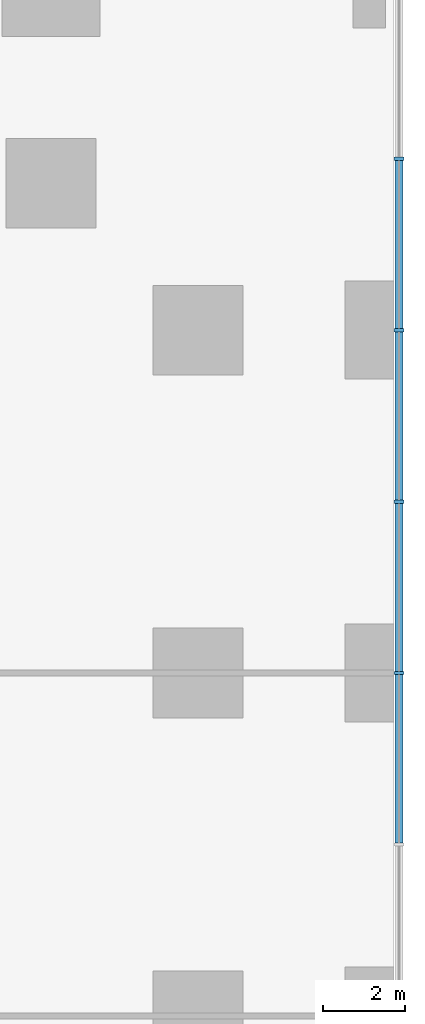
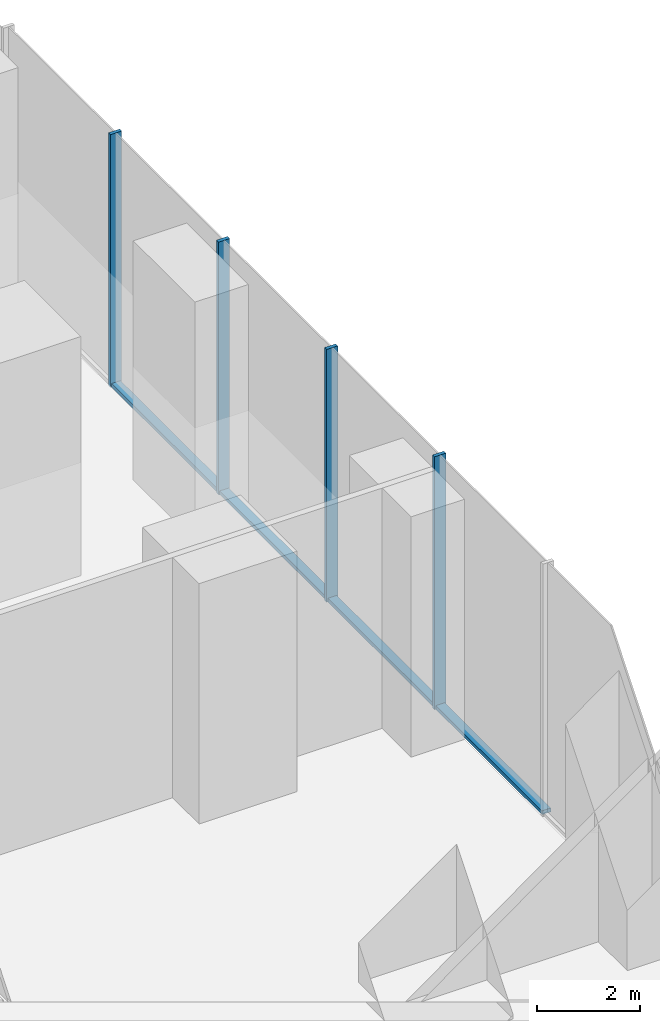
# One storey, part 20 of 32: 8 members, 1 element without a shape of its own.
"""IFC4 building model written with IfcOpenShell, lengths in metres."""

from ifc_helpers import new_model, si_unit, direction, frame, origin, origin_2d, place, context, subcontext, project, spatial, rectangle, extrude, material, material_profile, profile_set, type_object, element, aggregate, save


model = new_model("IFC4")

# Units and contexts
model_context = context("Model", 3, precision=1e-05, world=origin(), true_north=direction((0.0, 1.0)))
body_context = subcontext(model_context, "Body", "Model", "MODEL_VIEW")
ifc_project = project(units=[si_unit("LENGTHUNIT", "METRE"), si_unit("AREAUNIT", "SQUARE_METRE"), si_unit("VOLUMEUNIT", "CUBIC_METRE"), si_unit("PLANEANGLEUNIT", "RADIAN"), si_unit("MASSUNIT", "GRAM", prefix="KILO")], contexts=[model_context])

# Site, building, storey
site_placement = place(None, origin())
site = spatial("IfcSite", under=ifc_project, at=site_placement, CompositionType="ELEMENT")
building_placement = place(site_placement, origin())
building = spatial("IfcBuilding", under=site, at=building_placement, Name="Dunama Terrace Hotel", CompositionType="ELEMENT")
storey_placement = place(building_placement, frame((0.0, 0.0, 6.0)))
storey = spatial("IfcBuildingStorey", under=building, at=storey_placement, Name="L01", CompositionType="ELEMENT", Elevation=6.0)

# Curtain wall, members
ifc_material_1 = material(Name="Aluminium curtain wall system", Category="aluminium")
curtain_wall_type = type_object("IfcCurtainWallType", Name="Podium storefront glazing CW-E", PredefinedType="NOTDEFINED", material=ifc_material_1)
curtain_wall_placement = place(storey_placement, origin())
curtain_wall = element("IfcCurtainWall", 1, at=curtain_wall_placement, inside=storey, type_object=curtain_wall_type, Name="Podium storefront glazing CW-E L01", PredefinedType="NOTDEFINED")
ifc_material_2 = material(Name="Aluminium mullion", Category="aluminium")
ifc_material_profile_1 = material_profile(ifc_material_2, rectangle(XDim=0.080078125, YDim=0.25, at=origin_2d()), Name="CWE MULLION 80X250")
ifc_profile_set_1 = profile_set([ifc_material_profile_1], Name="Aluminium mullion")
member_type_1 = type_object("IfcMemberType", Name="CWE mullion 80x250", PredefinedType="MULLION", material=ifc_profile_set_1)
member_1_placement = place(storey_placement, frame((58.925048828125, 42.0, 0.0), z_axis=(0.0, 0.0, 1.0), x_axis=(0.0, 1.0, 0.0)))
member_1 = element("IfcMember", 2, at=member_1_placement, type_object=member_type_1, Name="CWE mullion", PredefinedType="MULLION", context=body_context, shape_type="SweptSolid", body=[
    extrude(rectangle(XDim=0.080078125, YDim=0.25, at=origin_2d()), origin(), (0.0, 0.0, 1.0), 6.0),
])
member_2_placement = place(storey_placement, frame((58.925048828125, 46.199951171875, 0.0), z_axis=(0.0, 0.0, 1.0), x_axis=(0.0, 1.0, 0.0)))
member_2 = element("IfcMember", 3, at=member_2_placement, type_object=member_type_1, Name="CWE mullion", PredefinedType="MULLION", context=body_context, shape_type="SweptSolid", body=[
    extrude(rectangle(XDim=0.080078125, YDim=0.25, at=origin_2d()), origin(), (0.0, 0.0, 1.0), 6.0),
])
member_3_placement = place(storey_placement, frame((58.925048828125, 50.39990234375, 0.0), z_axis=(0.0, 0.0, 1.0), x_axis=(0.0, 1.0, 0.0)))
member_3 = element("IfcMember", 4, at=member_3_placement, type_object=member_type_1, Name="CWE mullion", PredefinedType="MULLION", context=body_context, shape_type="SweptSolid", body=[
    extrude(rectangle(XDim=0.080078125, YDim=0.25, at=origin_2d()), origin(), (0.0, 0.0, 1.0), 6.0),
])
member_4_placement = place(storey_placement, frame((58.925048828125, 54.60009765625, 0.0), z_axis=(0.0, 0.0, 1.0), x_axis=(0.0, 1.0, 0.0)))
member_4 = element("IfcMember", 5, at=member_4_placement, type_object=member_type_1, Name="CWE mullion", PredefinedType="MULLION", context=body_context, shape_type="SweptSolid", body=[
    extrude(rectangle(XDim=0.080078125, YDim=0.25, at=origin_2d()), origin(), (0.0, 0.0, 1.0), 6.0),
])
ifc_material_3 = material(Name="Aluminium transom", Category="aluminium")
ifc_material_profile_2 = material_profile(ifc_material_3, rectangle(XDim=0.199951171875, YDim=0.090087890625, at=origin_2d()), Name="CWE TRANSOM 200X90")
ifc_profile_set_2 = profile_set([ifc_material_profile_2], Name="Aluminium transom")
member_type_2 = type_object("IfcMemberType", Name="CWE transom 200x90", PredefinedType="USERDEFINED", material=ifc_profile_set_2)
member_5_placement = place(storey_placement, frame((58.925048828125, 37.840087890625, 0.044921875), z_axis=(0.0, 1.0, 0.0), x_axis=(-1.0, 0.0, 0.0)))
member_5 = element("IfcMember", 6, at=member_5_placement, type_object=member_type_2, Name="CWE transom", ObjectType="TRANSOM", PredefinedType="USERDEFINED", context=body_context, shape_type="SweptSolid", body=[
    extrude(rectangle(XDim=0.199951171875, YDim=0.090087890625, at=origin_2d()), origin(), (0.0, 0.0, 1.0), 4.119873046875),
])
member_6_placement = place(storey_placement, frame((58.925048828125, 42.0400390625, 0.044921875), z_axis=(0.0, 1.0, 0.0), x_axis=(-1.0, 0.0, 0.0)))
member_6 = element("IfcMember", 7, at=member_6_placement, type_object=member_type_2, Name="CWE transom", ObjectType="TRANSOM", PredefinedType="USERDEFINED", context=body_context, shape_type="SweptSolid", body=[
    extrude(rectangle(XDim=0.199951171875, YDim=0.090087890625, at=origin_2d()), origin(), (0.0, 0.0, 1.0), 4.119873046875),
])
member_7_placement = place(storey_placement, frame((58.925048828125, 46.239990234375, 0.044921875), z_axis=(0.0, 1.0, 0.0), x_axis=(-1.0, 0.0, 0.0)))
member_7 = element("IfcMember", 8, at=member_7_placement, type_object=member_type_2, Name="CWE transom", ObjectType="TRANSOM", PredefinedType="USERDEFINED", context=body_context, shape_type="SweptSolid", body=[
    extrude(rectangle(XDim=0.199951171875, YDim=0.090087890625, at=origin_2d()), origin(), (0.0, 0.0, 1.0), 4.1201171875),
])
member_8_placement = place(storey_placement, frame((58.925048828125, 50.43994140625, 0.044921875), z_axis=(0.0, 1.0, 0.0), x_axis=(-1.0, 0.0, 0.0)))
member_8 = element("IfcMember", 9, at=member_8_placement, type_object=member_type_2, Name="CWE transom", ObjectType="TRANSOM", PredefinedType="USERDEFINED", context=body_context, shape_type="SweptSolid", body=[
    extrude(rectangle(XDim=0.199951171875, YDim=0.090087890625, at=origin_2d()), origin(), (0.0, 0.0, 1.0), 4.1201171875),
])
aggregate(curtain_wall, [member_1, member_2, member_3, member_4, member_5, member_6, member_7, member_8])

save(model, "model.ifc")
